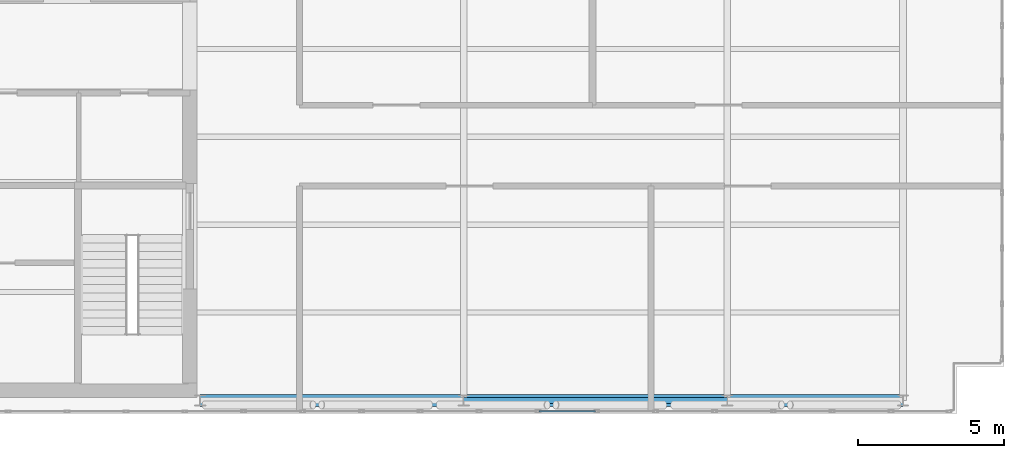
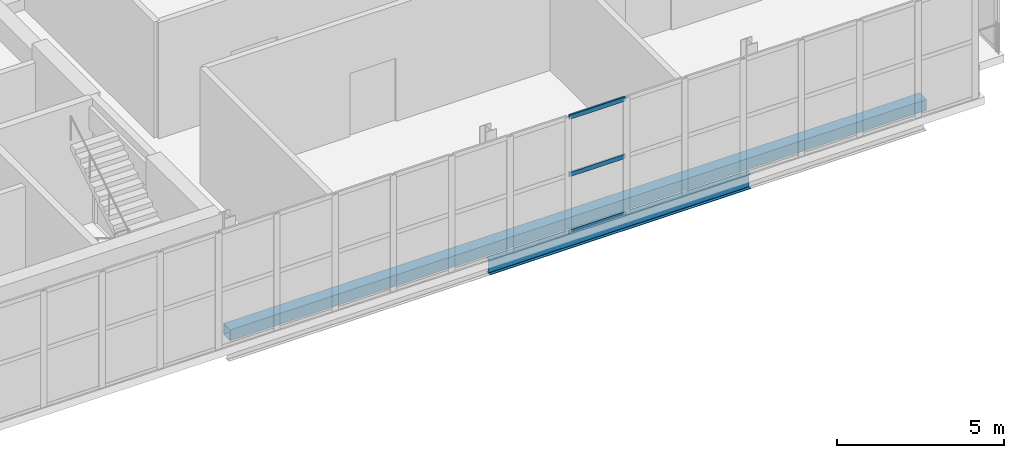
# One storey, part 7 of 21: 4 members, 1 beam, 1 element without a shape of its own.
"""IFC4 building model written with IfcOpenShell, lengths in metres."""

from ifc_helpers import new_model, si_unit, direction, frame, origin, origin_2d, place, context, subcontext, project, spatial, hollow_rectangle, i_section, extrude, material, layer, layer_set, material_profile, profile_set, type_object, element, aggregate, save


model = new_model("IFC4")

# Units and contexts
model_context = context("Model", 3, precision=1e-05, world=origin(), true_north=direction((0.0, 1.0)))
body_context = subcontext(model_context, "Body", "Model", "MODEL_VIEW")
ifc_project = project(units=[si_unit("LENGTHUNIT", "METRE"), si_unit("AREAUNIT", "SQUARE_METRE"), si_unit("VOLUMEUNIT", "CUBIC_METRE"), si_unit("PLANEANGLEUNIT", "RADIAN"), si_unit("MASSUNIT", "GRAM", prefix="KILO")], contexts=[model_context])

# Site, building, storey
site_placement = place(None, origin())
site = spatial("IfcSite", under=ifc_project, at=site_placement, CompositionType="ELEMENT")
building_placement = place(site_placement, origin())
building = spatial("IfcBuilding", under=site, at=building_placement, Name="Mawjdan Bourse Tower", CompositionType="ELEMENT")
storey_placement = place(building_placement, frame((0.0, 0.0, 317.699951171875)))
storey = spatial("IfcBuildingStorey", under=building, at=storey_placement, Name="L78", CompositionType="ELEMENT", Elevation=317.699951171875)

# Member
ifc_material_1 = material(Name="Structural Steel S460", Category="steel")
ifc_material_profile_1 = material_profile(ifc_material_1, hollow_rectangle(XDim=0.39990234375, YDim=0.39990234375, WallThickness=0.01611328125, at=origin_2d()), Name="HSS400X400X16")
ifc_profile_set_1 = profile_set([ifc_material_profile_1], Name="Structural Steel S460")
member_type_1 = type_object("IfcMemberType", Name="CHD-HSS400X400X16", PredefinedType="CHORD", material=ifc_profile_set_1)
member_1_placement = place(storey_placement, frame((24.0, 3.0, 0.199951171875), z_axis=(1.0, 0.0, 0.0), x_axis=(0.0, 1.0, 0.0)))
element("IfcMember", 1, at=member_1_placement, inside=storey, type_object=member_type_1, Name="L78 Lantern Crown Braced Frame South Bottom Chord", PredefinedType="CHORD", context=body_context, shape_type="SweptSolid", body=[
    extrude(hollow_rectangle(XDim=0.39990234375, YDim=0.39990234375, WallThickness=0.01611328125, at=origin_2d()), origin(), (0.0, 0.0, 1.0), 24.0),
])

# Beam
ifc_material_2 = material(Name="Structural Steel S355", Category="steel")
ifc_material_profile_2 = material_profile(ifc_material_2, i_section(OverallWidth=0.2099609375, OverallDepth=0.537109375, WebThickness=0.010986328125, FlangeThickness=0.017333984375, FilletRadius=0.013916015625, at=origin_2d()), Name="W21X68")
ifc_profile_set_2 = profile_set([ifc_material_profile_2], Name="Structural Steel S355")
beam_type = type_object("IfcBeamType", Name="SPN-W21X68", PredefinedType="SPANDREL", material=ifc_profile_set_2)
beam_placement = place(storey_placement, frame((33.0, 3.0, -0.54833984375), z_axis=(1.0, 0.0, 0.0), x_axis=(0.0, 1.0, 0.0)))
element("IfcBeam", 2, at=beam_placement, inside=storey, type_object=beam_type, Name="L78 Perimeter Masonry-Shelf Spandrel 006", PredefinedType="SPANDREL", context=body_context, shape_type="SweptSolid", body=[
    extrude(i_section(OverallWidth=0.2099609375, OverallDepth=0.537109375, WebThickness=0.010986328125, FlangeThickness=0.017333984375, FilletRadius=0.013916015625, at=origin_2d()), origin(), (0.0, 0.0, 1.0), 9.0),
])

# Curtain wall, members
ifc_material_3 = material(Name="Thermally Broken Aluminium and Solar Glass", Category="aluminium")
ifc_layer = layer(ifc_material_3, 0.219970703125)
ifc_layer_set = layer_set([ifc_layer], Name="Thermally Broken Aluminium and Solar Glass")
curtain_wall_type = type_object("IfcCurtainWallType", Name="CW-CRN", PredefinedType="USERDEFINED", material=ifc_layer_set)
curtain_wall_placement = place(storey_placement, origin())
curtain_wall = element("IfcCurtainWall", 3, at=curtain_wall_placement, inside=storey, type_object=curtain_wall_type, Name="L78 Lantern Crown South Curtain Wall", ObjectType="LANTERN GLAZED CROWN", PredefinedType="USERDEFINED")
ifc_material_4 = material(Name="Thermally Broken Anodised Aluminium", Category="aluminium")
ifc_material_profile_3 = material_profile(ifc_material_4, hollow_rectangle(XDim=0.06005859375, YDim=0.155029296875, WallThickness=0.00390625, at=origin_2d()), Name="ALU-TRN-155X60")
ifc_profile_set_3 = profile_set([ifc_material_profile_3], Name="Thermally Broken Anodised Aluminium")
member_type_2 = type_object("IfcMemberType", Name="TRN-ALU-TRN-155X60", PredefinedType="USERDEFINED", material=ifc_profile_set_3)
member_2_placement = place(storey_placement, frame((35.57080078125, 2.6298828125, 0.030029296875), z_axis=(1.0, 0.0, 0.0), x_axis=(0.0, 1.0, 0.0)))
member_2 = element("IfcMember", 4, at=member_2_placement, type_object=member_type_2, Name="CW-CRN-L78-CRN-S transom 15.1", ObjectType="TRANSOM", PredefinedType="USERDEFINED", context=body_context, shape_type="SweptSolid", body=[
    extrude(hollow_rectangle(XDim=0.06005859375, YDim=0.155029296875, WallThickness=0.00390625, at=origin_2d()), origin(), (0.0, 0.0, 1.0), 1.9345703125),
])
member_3_placement = place(storey_placement, frame((35.57080078125, 2.6298828125, 2.1201171875), z_axis=(1.0, 0.0, 0.0), x_axis=(0.0, 1.0, 0.0)))
member_3 = element("IfcMember", 5, at=member_3_placement, type_object=member_type_2, Name="CW-CRN-L78-CRN-S transom 15.2", ObjectType="TRANSOM", PredefinedType="USERDEFINED", context=body_context, shape_type="SweptSolid", body=[
    extrude(hollow_rectangle(XDim=0.06005859375, YDim=0.155029296875, WallThickness=0.00390625, at=origin_2d()), origin(), (0.0, 0.0, 1.0), 1.9345703125),
])
member_4_placement = place(storey_placement, frame((35.57080078125, 2.6298828125, 4.2099609375), z_axis=(1.0, 0.0, 0.0), x_axis=(0.0, 1.0, 0.0)))
member_4 = element("IfcMember", 6, at=member_4_placement, type_object=member_type_2, Name="CW-CRN-L78-CRN-S transom 15.3", ObjectType="TRANSOM", PredefinedType="USERDEFINED", context=body_context, shape_type="SweptSolid", body=[
    extrude(hollow_rectangle(XDim=0.06005859375, YDim=0.155029296875, WallThickness=0.00390625, at=origin_2d()), origin(), (0.0, 0.0, 1.0), 1.9345703125),
])
aggregate(curtain_wall, [member_2, member_3, member_4])

save(model, "model.ifc")
